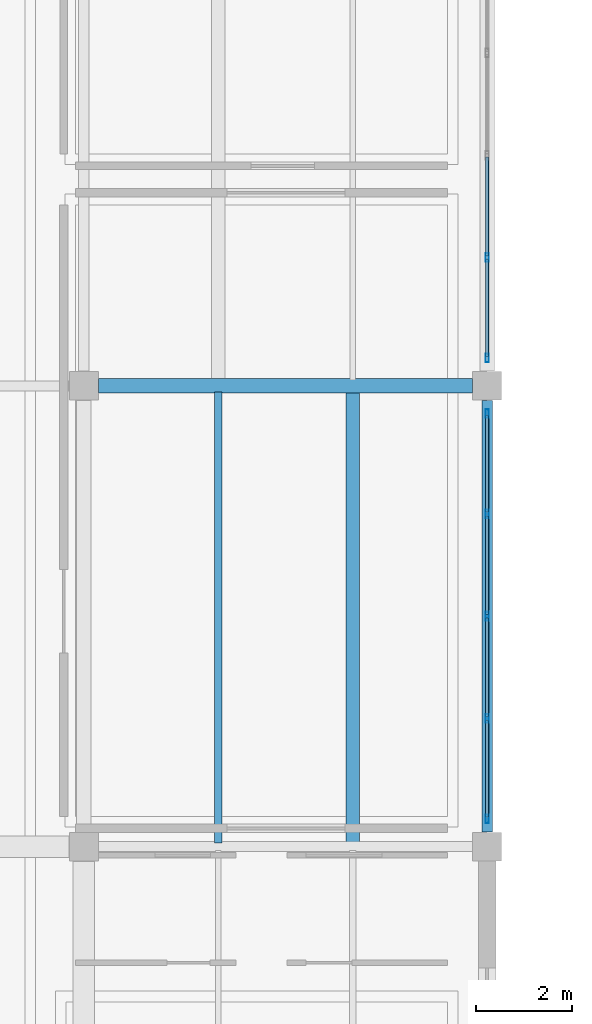
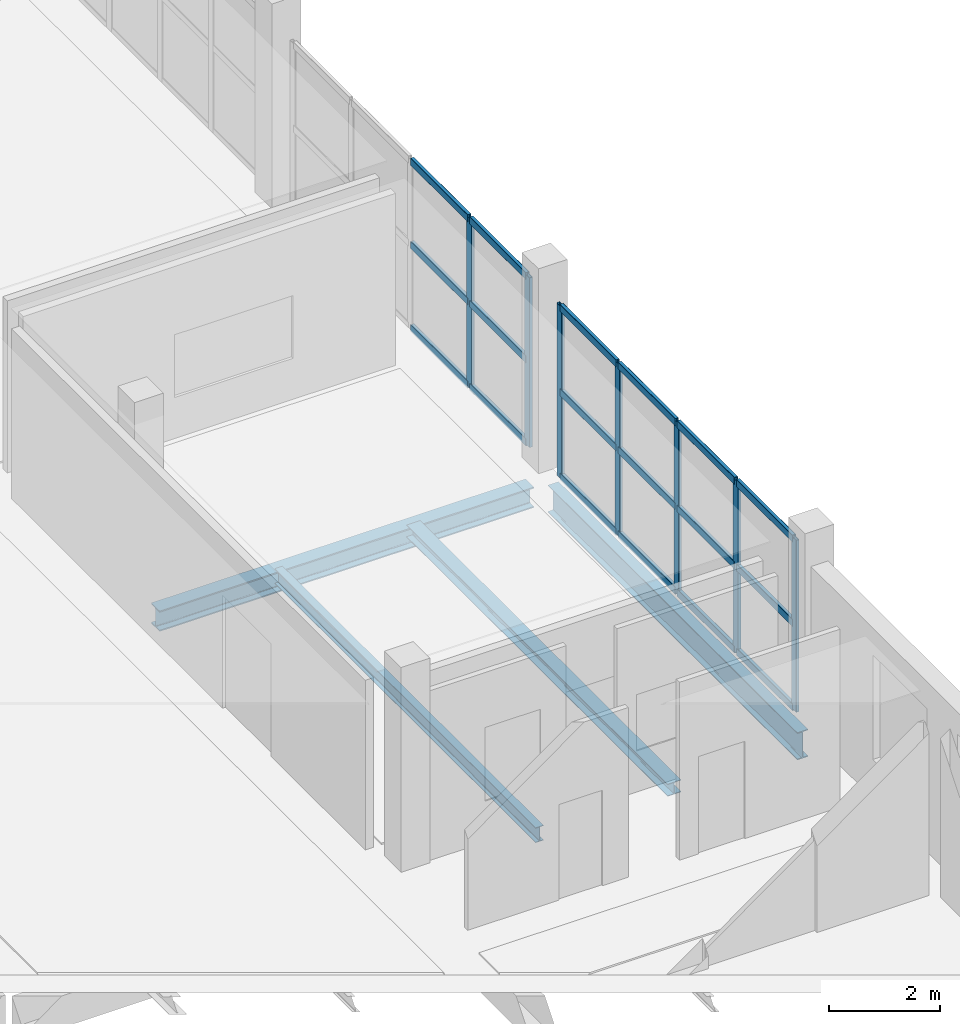
# One storey, part 26 of 54: 25 members, 4 beams, 2 elements without a shape of their own.
"""IFC4 building model written with IfcOpenShell, lengths in metres."""

from ifc_helpers import new_model, si_unit, direction, frame, origin, origin_2d, place, context, subcontext, project, spatial, hollow_rectangle, i_section, extrude, material, layer, layer_set, material_profile, profile_set, type_object, element, aggregate, save


model = new_model("IFC4")

# Units and contexts
model_context = context("Model", 3, precision=1e-05, world=origin(), true_north=direction((0.0, 1.0)))
body_context = subcontext(model_context, "Body", "Model", "MODEL_VIEW")
ifc_project = project(units=[si_unit("LENGTHUNIT", "METRE"), si_unit("AREAUNIT", "SQUARE_METRE"), si_unit("VOLUMEUNIT", "CUBIC_METRE"), si_unit("PLANEANGLEUNIT", "RADIAN"), si_unit("MASSUNIT", "GRAM", prefix="KILO")], contexts=[model_context])

# Site, building, storey
site_placement = place(None, origin())
site = spatial("IfcSite", under=ifc_project, at=site_placement, CompositionType="ELEMENT")
building_placement = place(site_placement, origin())
building = spatial("IfcBuilding", under=site, at=building_placement, Name="Zulmaris Art Gallery", CompositionType="ELEMENT")
storey_placement = place(building_placement, frame((0.0, 0.0, 26.39990234375)))
storey = spatial("IfcBuildingStorey", under=building, at=storey_placement, Name="L05", CompositionType="ELEMENT", Elevation=26.39990234375)

# Beams
ifc_material_1 = material(Name="Steel S355J2", Category="steel")
ifc_material_profile_1 = material_profile(ifc_material_1, i_section(OverallWidth=0.219970703125, OverallDepth=0.60009765625, WebThickness=0.011962890625, FlangeThickness=0.01904296875, FilletRadius=0.02392578125, at=origin_2d()), Name="IPE 600")
ifc_profile_set_1 = profile_set([ifc_material_profile_1], Name="Steel S355J2")
beam_type_1 = type_object("IfcBeamType", Name="BEAM-BM07", PredefinedType="BEAM", material=ifc_profile_set_1)
beam_1_placement = place(storey_placement, frame((158.39990234375, 31.510009765625, -0.60986328125), z_axis=(0.0, 1.0, 0.0), x_axis=(-1.0, 0.0, 0.0)))
element("IfcBeam", 1, at=beam_1_placement, inside=storey, type_object=beam_type_1, Name="L05 Y-girder (x=158.4, 31.2..40.8)", PredefinedType="BEAM", context=body_context, shape_type="SweptSolid", body=[
    extrude(i_section(OverallWidth=0.219970703125, OverallDepth=0.60009765625, WebThickness=0.011962890625, FlangeThickness=0.01904296875, FilletRadius=0.02392578125, at=origin_2d()), origin(), (0.0, 0.0, 1.0), 8.97998046875),
])
ifc_material_profile_2 = material_profile(ifc_material_1, i_section(OverallWidth=0.300048828125, OverallDepth=0.449951171875, WebThickness=0.013916015625, FlangeThickness=0.02587890625, FilletRadius=0.027099609375, at=origin_2d()), Name="HEB 450")
ifc_profile_set_2 = profile_set([ifc_material_profile_2], Name="Steel S355J2")
beam_type_2 = type_object("IfcBeamType", Name="BEAM-BM13", PredefinedType="BEAM", material=ifc_profile_set_2)
beam_2_placement = place(storey_placement, frame((150.31005859375, 40.800048828125, -0.60986328125), z_axis=(1.0, 0.0, 0.0), x_axis=(0.0, 1.0, 0.0)))
element("IfcBeam", 2, at=beam_2_placement, inside=storey, type_object=beam_type_2, Name="L05 X-girder (150.0..158.4, y=40.8)", PredefinedType="BEAM", context=body_context, shape_type="SweptSolid", body=[
    extrude(i_section(OverallWidth=0.300048828125, OverallDepth=0.449951171875, WebThickness=0.013916015625, FlangeThickness=0.02587890625, FilletRadius=0.027099609375, at=origin_2d()), origin(), (0.0, 0.0, 1.0), 7.780029296875),
])
ifc_material_profile_3 = material_profile(ifc_material_1, i_section(OverallWidth=0.159912109375, OverallDepth=0.330078125, WebThickness=0.007568359375, FlangeThickness=0.011474609375, FilletRadius=0.01806640625, at=origin_2d()), Name="IPE 330")
ifc_profile_set_3 = profile_set([ifc_material_profile_3], Name="Steel S355J2")
beam_type_3 = type_object("IfcBeamType", Name="BEAM-JS03", PredefinedType="JOIST", material=ifc_profile_set_3)
beam_3_placement = place(storey_placement, frame((152.800048828125, 31.280029296875, -0.474853515625), z_axis=(0.0, 1.0, 0.0), x_axis=(-1.0, 0.0, 0.0)))
element("IfcBeam", 3, at=beam_3_placement, inside=storey, type_object=beam_type_3, Name="L05 secondary joist at x=152.8", PredefinedType="JOIST", context=body_context, shape_type="SweptSolid", body=[
    extrude(i_section(OverallWidth=0.159912109375, OverallDepth=0.330078125, WebThickness=0.007568359375, FlangeThickness=0.011474609375, FilletRadius=0.01806640625, at=origin_2d()), origin(), (0.0, 0.0, 1.0), 9.39501953125),
])
ifc_material_profile_4 = material_profile(ifc_material_1, i_section(OverallWidth=0.280029296875, OverallDepth=0.27001953125, WebThickness=0.008056640625, FlangeThickness=0.012939453125, FilletRadius=0.02392578125, at=origin_2d()), Name="HEA 280")
ifc_profile_set_4 = profile_set([ifc_material_profile_4], Name="Steel S355J2")
beam_type_4 = type_object("IfcBeamType", Name="BEAM-JS04", PredefinedType="JOIST", material=ifc_profile_set_4)
beam_4_placement = place(storey_placement, frame((155.60009765625, 31.280029296875, -0.44482421875), z_axis=(0.0, 1.0, 0.0), x_axis=(-1.0, 0.0, 0.0)))
element("IfcBeam", 4, at=beam_4_placement, inside=storey, type_object=beam_type_4, Name="L05 secondary joist at x=155.6", PredefinedType="JOIST", context=body_context, shape_type="SweptSolid", body=[
    extrude(i_section(OverallWidth=0.280029296875, OverallDepth=0.27001953125, WebThickness=0.008056640625, FlangeThickness=0.012939453125, FilletRadius=0.02392578125, at=origin_2d()), origin(), (0.0, 0.0, 1.0), 9.39501953125),
])

# Curtain wall, members
ifc_material_2 = material(Name="Courtyard Artists Studio Curtain Wall", Category="aluminium")
ifc_layer = layer(ifc_material_2, 0.179931640625)
ifc_layer_set = layer_set([ifc_layer], Name="Courtyard Artists Studio Curtain Wall")
curtain_wall_type = type_object("IfcCurtainWallType", Name="CW-CW04", PredefinedType="NOTDEFINED", material=ifc_layer_set)
curtain_wall_1_placement = place(storey_placement, origin())
curtain_wall_1 = element("IfcCurtainWall", 5, at=curtain_wall_1_placement, inside=storey, type_object=curtain_wall_type, Name="L05 curtain wall 165", PredefinedType="NOTDEFINED")
ifc_material_3 = material(Name="Anodised Bronze Aluminium", Category="aluminium")
ifc_material_profile_5 = material_profile(ifc_material_3, hollow_rectangle(XDim=0.06494140625, YDim=0.179931640625, WallThickness=0.00390625, InnerFilletRadius=0.006103515625, OuterFilletRadius=0.010009765625, at=origin_2d()), Name="ALU 65x180x4")
ifc_profile_set_5 = profile_set([ifc_material_profile_5], Name="Anodised Bronze Aluminium")
member_type_1 = type_object("IfcMemberType", Name="CWMUL-01", PredefinedType="MULLION", material=ifc_profile_set_5)
member_1_placement = place(storey_placement, frame((158.39990234375, 31.777587890625, 0.0), z_axis=(0.0, 0.0, 1.0), x_axis=(-1.0, 0.0, 0.0)))
member_1 = element("IfcMember", 6, at=member_1_placement, type_object=member_type_1, Name="CW04 mullion 1", PredefinedType="MULLION", context=body_context, shape_type="SweptSolid", body=[
    extrude(hollow_rectangle(XDim=0.06494140625, YDim=0.179931640625, WallThickness=0.00390625, InnerFilletRadius=0.006103515625, OuterFilletRadius=0.010009765625, at=origin_2d()), origin(), (0.0, 0.0, 1.0), 3.780029296875),
])
member_2_placement = place(storey_placement, frame((158.39990234375, 33.8701171875, 0.0), z_axis=(0.0, 0.0, 1.0), x_axis=(-1.0, 0.0, 0.0)))
member_2 = element("IfcMember", 7, at=member_2_placement, type_object=member_type_1, Name="CW04 mullion 2", PredefinedType="MULLION", context=body_context, shape_type="SweptSolid", body=[
    extrude(hollow_rectangle(XDim=0.06494140625, YDim=0.179931640625, WallThickness=0.00390625, InnerFilletRadius=0.006103515625, OuterFilletRadius=0.010009765625, at=origin_2d()), origin(), (0.0, 0.0, 1.0), 3.780029296875),
])
member_3_placement = place(storey_placement, frame((158.39990234375, 36.0, 0.0), z_axis=(0.0, 0.0, 1.0), x_axis=(-1.0, 0.0, 0.0)))
member_3 = element("IfcMember", 8, at=member_3_placement, type_object=member_type_1, Name="CW04 mullion 3", PredefinedType="MULLION", context=body_context, shape_type="SweptSolid", body=[
    extrude(hollow_rectangle(XDim=0.06494140625, YDim=0.179931640625, WallThickness=0.00390625, InnerFilletRadius=0.006103515625, OuterFilletRadius=0.010009765625, at=origin_2d()), origin(), (0.0, 0.0, 1.0), 3.780029296875),
])
member_4_placement = place(storey_placement, frame((158.39990234375, 38.1298828125, 0.0), z_axis=(0.0, 0.0, 1.0), x_axis=(-1.0, 0.0, 0.0)))
member_4 = element("IfcMember", 9, at=member_4_placement, type_object=member_type_1, Name="CW04 mullion 4", PredefinedType="MULLION", context=body_context, shape_type="SweptSolid", body=[
    extrude(hollow_rectangle(XDim=0.06494140625, YDim=0.179931640625, WallThickness=0.00390625, InnerFilletRadius=0.006103515625, OuterFilletRadius=0.010009765625, at=origin_2d()), origin(), (0.0, 0.0, 1.0), 3.780029296875),
])
member_5_placement = place(storey_placement, frame((158.39990234375, 40.222412109375, 0.0), z_axis=(0.0, 0.0, 1.0), x_axis=(-1.0, 0.0, 0.0)))
member_5 = element("IfcMember", 10, at=member_5_placement, type_object=member_type_1, Name="CW04 mullion 5", PredefinedType="MULLION", context=body_context, shape_type="SweptSolid", body=[
    extrude(hollow_rectangle(XDim=0.06494140625, YDim=0.179931640625, WallThickness=0.00390625, InnerFilletRadius=0.006103515625, OuterFilletRadius=0.010009765625, at=origin_2d()), origin(), (0.0, 0.0, 1.0), 3.780029296875),
])

curtain_wall_2_placement = place(storey_placement, origin())
curtain_wall_2 = element("IfcCurtainWall", 11, at=curtain_wall_2_placement, inside=storey, type_object=curtain_wall_type, Name="L05 curtain wall 166", PredefinedType="NOTDEFINED")
member_6_placement = place(storey_placement, frame((158.39990234375, 41.37744140625, 0.0), z_axis=(0.0, 0.0, 1.0), x_axis=(-1.0, 0.0, 0.0)))
member_6 = element("IfcMember", 12, at=member_6_placement, type_object=member_type_1, Name="CW04 mullion 1", PredefinedType="MULLION", context=body_context, shape_type="SweptSolid", body=[
    extrude(hollow_rectangle(XDim=0.06494140625, YDim=0.179931640625, WallThickness=0.00390625, InnerFilletRadius=0.006103515625, OuterFilletRadius=0.010009765625, at=origin_2d()), origin(), (0.0, 0.0, 1.0), 3.72998046875),
])
member_7_placement = place(storey_placement, frame((158.39990234375, 43.469970703125, 0.0), z_axis=(0.0, 0.0, 1.0), x_axis=(-1.0, 0.0, 0.0)))
member_7 = element("IfcMember", 13, at=member_7_placement, type_object=member_type_1, Name="CW04 mullion 2", PredefinedType="MULLION", context=body_context, shape_type="SweptSolid", body=[
    extrude(hollow_rectangle(XDim=0.06494140625, YDim=0.179931640625, WallThickness=0.00390625, InnerFilletRadius=0.006103515625, OuterFilletRadius=0.010009765625, at=origin_2d()), origin(), (0.0, 0.0, 1.0), 3.72998046875),
])

# Member
ifc_material_profile_6 = material_profile(ifc_material_3, hollow_rectangle(XDim=0.074951171875, YDim=0.159912109375, WallThickness=0.00390625, InnerFilletRadius=0.006103515625, OuterFilletRadius=0.010009765625, at=origin_2d()), Name="ALU 75x160x4")
ifc_profile_set_6 = profile_set([ifc_material_profile_6], Name="Anodised Bronze Aluminium")
member_type_2 = type_object("IfcMemberType", Name="CWTRN-02", PredefinedType="USERDEFINED", material=ifc_profile_set_6)
member_8_placement = place(storey_placement, frame((158.39990234375, 31.81494140625, 0.03759765625), z_axis=(0.0, 1.0, 0.0), x_axis=(-1.0, 0.0, 0.0)))
member_8 = element("IfcMember", 14, at=member_8_placement, type_object=member_type_2, Name="CW04 transom 1.1", ObjectType="TRANSOM", PredefinedType="USERDEFINED", context=body_context, shape_type="SweptSolid", body=[
    extrude(hollow_rectangle(XDim=0.074951171875, YDim=0.159912109375, WallThickness=0.00390625, InnerFilletRadius=0.006103515625, OuterFilletRadius=0.010009765625, at=origin_2d()), origin(), (0.0, 0.0, 1.0), 2.017578125),
])

member_9_placement = place(storey_placement, frame((158.39990234375, 31.81494140625, 1.89013671875), z_axis=(0.0, 1.0, 0.0), x_axis=(-1.0, 0.0, 0.0)))
member_9 = element("IfcMember", 15, at=member_9_placement, type_object=member_type_2, Name="CW04 transom 1.2", ObjectType="TRANSOM", PredefinedType="USERDEFINED", context=body_context, shape_type="SweptSolid", body=[
    extrude(hollow_rectangle(XDim=0.074951171875, YDim=0.159912109375, WallThickness=0.00390625, InnerFilletRadius=0.006103515625, OuterFilletRadius=0.010009765625, at=origin_2d()), origin(), (0.0, 0.0, 1.0), 2.017578125),
])

member_10_placement = place(storey_placement, frame((158.39990234375, 31.81494140625, 3.74267578125), z_axis=(0.0, 1.0, 0.0), x_axis=(-1.0, 0.0, 0.0)))
member_10 = element("IfcMember", 16, at=member_10_placement, type_object=member_type_2, Name="CW04 transom 1.3", ObjectType="TRANSOM", PredefinedType="USERDEFINED", context=body_context, shape_type="SweptSolid", body=[
    extrude(hollow_rectangle(XDim=0.074951171875, YDim=0.159912109375, WallThickness=0.00390625, InnerFilletRadius=0.006103515625, OuterFilletRadius=0.010009765625, at=origin_2d()), origin(), (0.0, 0.0, 1.0), 2.017578125),
])

member_11_placement = place(storey_placement, frame((158.39990234375, 33.907470703125, 0.03759765625), z_axis=(0.0, 1.0, 0.0), x_axis=(-1.0, 0.0, 0.0)))
member_11 = element("IfcMember", 17, at=member_11_placement, type_object=member_type_2, Name="CW04 transom 2.1", ObjectType="TRANSOM", PredefinedType="USERDEFINED", context=body_context, shape_type="SweptSolid", body=[
    extrude(hollow_rectangle(XDim=0.074951171875, YDim=0.159912109375, WallThickness=0.00390625, InnerFilletRadius=0.006103515625, OuterFilletRadius=0.010009765625, at=origin_2d()), origin(), (0.0, 0.0, 1.0), 2.054931640625),
])

member_12_placement = place(storey_placement, frame((158.39990234375, 33.907470703125, 1.89013671875), z_axis=(0.0, 1.0, 0.0), x_axis=(-1.0, 0.0, 0.0)))
member_12 = element("IfcMember", 18, at=member_12_placement, type_object=member_type_2, Name="CW04 transom 2.2", ObjectType="TRANSOM", PredefinedType="USERDEFINED", context=body_context, shape_type="SweptSolid", body=[
    extrude(hollow_rectangle(XDim=0.074951171875, YDim=0.159912109375, WallThickness=0.00390625, InnerFilletRadius=0.006103515625, OuterFilletRadius=0.010009765625, at=origin_2d()), origin(), (0.0, 0.0, 1.0), 2.054931640625),
])

member_13_placement = place(storey_placement, frame((158.39990234375, 33.907470703125, 3.74267578125), z_axis=(0.0, 1.0, 0.0), x_axis=(-1.0, 0.0, 0.0)))
member_13 = element("IfcMember", 19, at=member_13_placement, type_object=member_type_2, Name="CW04 transom 2.3", ObjectType="TRANSOM", PredefinedType="USERDEFINED", context=body_context, shape_type="SweptSolid", body=[
    extrude(hollow_rectangle(XDim=0.074951171875, YDim=0.159912109375, WallThickness=0.00390625, InnerFilletRadius=0.006103515625, OuterFilletRadius=0.010009765625, at=origin_2d()), origin(), (0.0, 0.0, 1.0), 2.054931640625),
])

member_14_placement = place(storey_placement, frame((158.39990234375, 36.03759765625, 0.03759765625), z_axis=(0.0, 1.0, 0.0), x_axis=(-1.0, 0.0, 0.0)))
member_14 = element("IfcMember", 20, at=member_14_placement, type_object=member_type_2, Name="CW04 transom 3.1", ObjectType="TRANSOM", PredefinedType="USERDEFINED", context=body_context, shape_type="SweptSolid", body=[
    extrude(hollow_rectangle(XDim=0.074951171875, YDim=0.159912109375, WallThickness=0.00390625, InnerFilletRadius=0.006103515625, OuterFilletRadius=0.010009765625, at=origin_2d()), origin(), (0.0, 0.0, 1.0), 2.054931640625),
])

member_15_placement = place(storey_placement, frame((158.39990234375, 36.03759765625, 1.89013671875), z_axis=(0.0, 1.0, 0.0), x_axis=(-1.0, 0.0, 0.0)))
member_15 = element("IfcMember", 21, at=member_15_placement, type_object=member_type_2, Name="CW04 transom 3.2", ObjectType="TRANSOM", PredefinedType="USERDEFINED", context=body_context, shape_type="SweptSolid", body=[
    extrude(hollow_rectangle(XDim=0.074951171875, YDim=0.159912109375, WallThickness=0.00390625, InnerFilletRadius=0.006103515625, OuterFilletRadius=0.010009765625, at=origin_2d()), origin(), (0.0, 0.0, 1.0), 2.054931640625),
])

member_16_placement = place(storey_placement, frame((158.39990234375, 36.03759765625, 3.74267578125), z_axis=(0.0, 1.0, 0.0), x_axis=(-1.0, 0.0, 0.0)))
member_16 = element("IfcMember", 22, at=member_16_placement, type_object=member_type_2, Name="CW04 transom 3.3", ObjectType="TRANSOM", PredefinedType="USERDEFINED", context=body_context, shape_type="SweptSolid", body=[
    extrude(hollow_rectangle(XDim=0.074951171875, YDim=0.159912109375, WallThickness=0.00390625, InnerFilletRadius=0.006103515625, OuterFilletRadius=0.010009765625, at=origin_2d()), origin(), (0.0, 0.0, 1.0), 2.054931640625),
])

member_17_placement = place(storey_placement, frame((158.39990234375, 38.16748046875, 0.03759765625), z_axis=(0.0, 1.0, 0.0), x_axis=(-1.0, 0.0, 0.0)))
member_17 = element("IfcMember", 23, at=member_17_placement, type_object=member_type_2, Name="CW04 transom 4.1", ObjectType="TRANSOM", PredefinedType="USERDEFINED", context=body_context, shape_type="SweptSolid", body=[
    extrude(hollow_rectangle(XDim=0.074951171875, YDim=0.159912109375, WallThickness=0.00390625, InnerFilletRadius=0.006103515625, OuterFilletRadius=0.010009765625, at=origin_2d()), origin(), (0.0, 0.0, 1.0), 2.017578125),
])

member_18_placement = place(storey_placement, frame((158.39990234375, 38.16748046875, 1.89013671875), z_axis=(0.0, 1.0, 0.0), x_axis=(-1.0, 0.0, 0.0)))
member_18 = element("IfcMember", 24, at=member_18_placement, type_object=member_type_2, Name="CW04 transom 4.2", ObjectType="TRANSOM", PredefinedType="USERDEFINED", context=body_context, shape_type="SweptSolid", body=[
    extrude(hollow_rectangle(XDim=0.074951171875, YDim=0.159912109375, WallThickness=0.00390625, InnerFilletRadius=0.006103515625, OuterFilletRadius=0.010009765625, at=origin_2d()), origin(), (0.0, 0.0, 1.0), 2.017578125),
])

member_19_placement = place(storey_placement, frame((158.39990234375, 38.16748046875, 3.74267578125), z_axis=(0.0, 1.0, 0.0), x_axis=(-1.0, 0.0, 0.0)))
member_19 = element("IfcMember", 25, at=member_19_placement, type_object=member_type_2, Name="CW04 transom 4.3", ObjectType="TRANSOM", PredefinedType="USERDEFINED", context=body_context, shape_type="SweptSolid", body=[
    extrude(hollow_rectangle(XDim=0.074951171875, YDim=0.159912109375, WallThickness=0.00390625, InnerFilletRadius=0.006103515625, OuterFilletRadius=0.010009765625, at=origin_2d()), origin(), (0.0, 0.0, 1.0), 2.017578125),
])

aggregate(curtain_wall_1, [member_1, member_2, member_3, member_4, member_5, member_8, member_9, member_10, member_11, member_12, member_13, member_14, member_15, member_16, member_17, member_18, member_19])

member_20_placement = place(storey_placement, frame((158.39990234375, 41.4150390625, 0.03759765625), z_axis=(0.0, 1.0, 0.0), x_axis=(-1.0, 0.0, 0.0)))
member_20 = element("IfcMember", 26, at=member_20_placement, type_object=member_type_2, Name="CW04 transom 1.1", ObjectType="TRANSOM", PredefinedType="USERDEFINED", context=body_context, shape_type="SweptSolid", body=[
    extrude(hollow_rectangle(XDim=0.074951171875, YDim=0.159912109375, WallThickness=0.00390625, InnerFilletRadius=0.006103515625, OuterFilletRadius=0.010009765625, at=origin_2d()), origin(), (0.0, 0.0, 1.0), 2.017578125),
])

member_21_placement = place(storey_placement, frame((158.39990234375, 41.4150390625, 1.864990234375), z_axis=(0.0, 1.0, 0.0), x_axis=(-1.0, 0.0, 0.0)))
member_21 = element("IfcMember", 27, at=member_21_placement, type_object=member_type_2, Name="CW04 transom 1.2", ObjectType="TRANSOM", PredefinedType="USERDEFINED", context=body_context, shape_type="SweptSolid", body=[
    extrude(hollow_rectangle(XDim=0.074951171875, YDim=0.159912109375, WallThickness=0.00390625, InnerFilletRadius=0.006103515625, OuterFilletRadius=0.010009765625, at=origin_2d()), origin(), (0.0, 0.0, 1.0), 2.017578125),
])

member_22_placement = place(storey_placement, frame((158.39990234375, 41.4150390625, 3.692626953125), z_axis=(0.0, 1.0, 0.0), x_axis=(-1.0, 0.0, 0.0)))
member_22 = element("IfcMember", 28, at=member_22_placement, type_object=member_type_2, Name="CW04 transom 1.3", ObjectType="TRANSOM", PredefinedType="USERDEFINED", context=body_context, shape_type="SweptSolid", body=[
    extrude(hollow_rectangle(XDim=0.074951171875, YDim=0.159912109375, WallThickness=0.00390625, InnerFilletRadius=0.006103515625, OuterFilletRadius=0.010009765625, at=origin_2d()), origin(), (0.0, 0.0, 1.0), 2.017578125),
])

member_23_placement = place(storey_placement, frame((158.39990234375, 43.507568359375, 0.03759765625), z_axis=(0.0, 1.0, 0.0), x_axis=(-1.0, 0.0, 0.0)))
member_23 = element("IfcMember", 29, at=member_23_placement, type_object=member_type_2, Name="CW04 transom 2.1", ObjectType="TRANSOM", PredefinedType="USERDEFINED", context=body_context, shape_type="SweptSolid", body=[
    extrude(hollow_rectangle(XDim=0.074951171875, YDim=0.159912109375, WallThickness=0.00390625, InnerFilletRadius=0.006103515625, OuterFilletRadius=0.010009765625, at=origin_2d()), origin(), (0.0, 0.0, 1.0), 2.054931640625),
])

member_24_placement = place(storey_placement, frame((158.39990234375, 43.507568359375, 1.864990234375), z_axis=(0.0, 1.0, 0.0), x_axis=(-1.0, 0.0, 0.0)))
member_24 = element("IfcMember", 30, at=member_24_placement, type_object=member_type_2, Name="CW04 transom 2.2", ObjectType="TRANSOM", PredefinedType="USERDEFINED", context=body_context, shape_type="SweptSolid", body=[
    extrude(hollow_rectangle(XDim=0.074951171875, YDim=0.159912109375, WallThickness=0.00390625, InnerFilletRadius=0.006103515625, OuterFilletRadius=0.010009765625, at=origin_2d()), origin(), (0.0, 0.0, 1.0), 2.054931640625),
])

member_25_placement = place(storey_placement, frame((158.39990234375, 43.507568359375, 3.692626953125), z_axis=(0.0, 1.0, 0.0), x_axis=(-1.0, 0.0, 0.0)))
member_25 = element("IfcMember", 31, at=member_25_placement, type_object=member_type_2, Name="CW04 transom 2.3", ObjectType="TRANSOM", PredefinedType="USERDEFINED", context=body_context, shape_type="SweptSolid", body=[
    extrude(hollow_rectangle(XDim=0.074951171875, YDim=0.159912109375, WallThickness=0.00390625, InnerFilletRadius=0.006103515625, OuterFilletRadius=0.010009765625, at=origin_2d()), origin(), (0.0, 0.0, 1.0), 2.054931640625),
])

aggregate(curtain_wall_2, [member_6, member_7, member_20, member_21, member_22, member_23, member_24, member_25])

save(model, "model.ifc")
